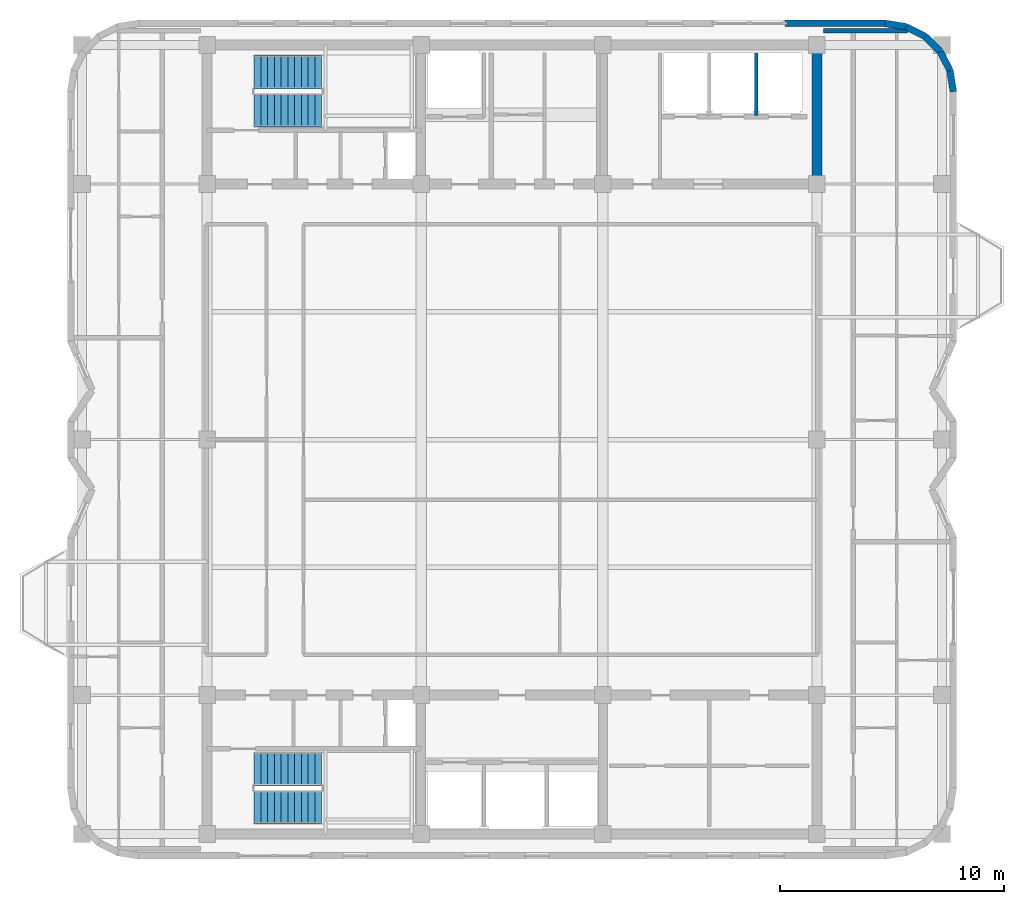
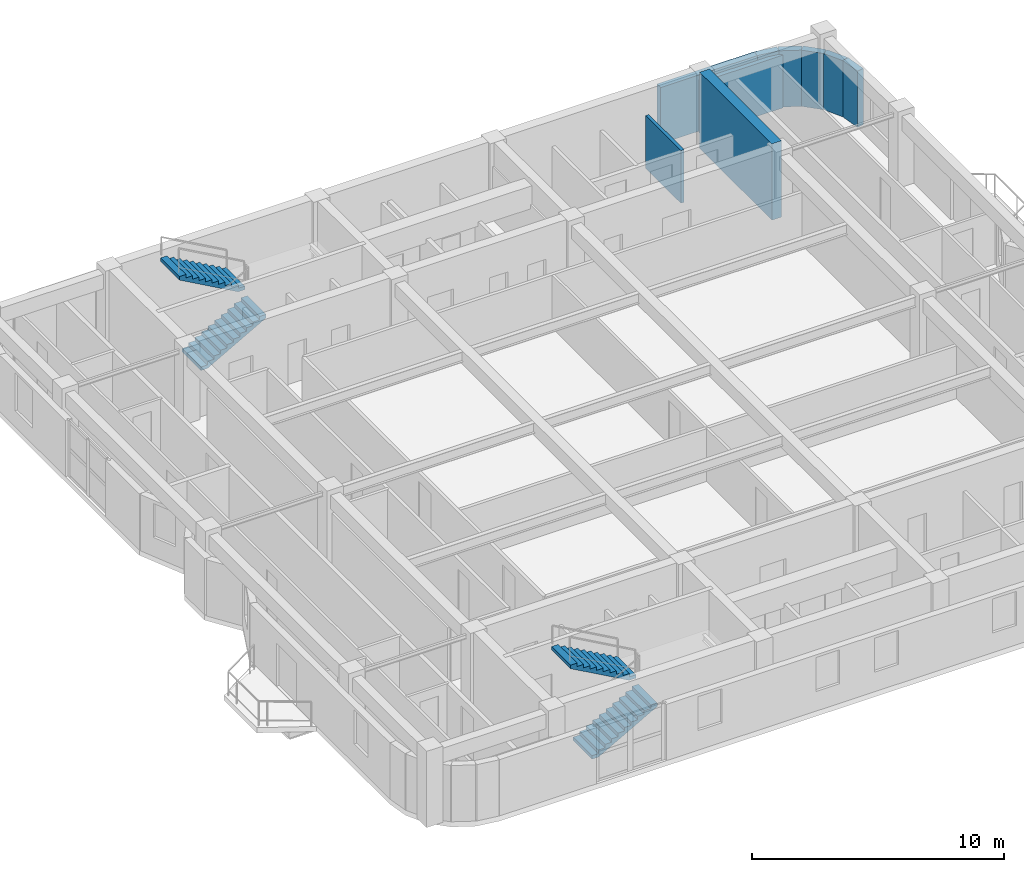
# One storey, part 9 of 11: 9 walls, 4 stair flights, 2 elements without a shape of their own.
"""IFC4 building model written with IfcOpenShell, lengths in metres."""

from ifc_helpers import new_model, si_unit, direction, frame, frame_2d, origin, place, context, subcontext, project, spatial, polyline, rectangle, outline, extrude, material, layer, layer_set, type_object, element, aggregate, save


model = new_model("IFC4")

# Units and contexts
model_context = context("Model", 3, precision=1e-05, world=origin(), true_north=direction((0.0, 1.0)))
body_context = subcontext(model_context, "Body", "Model", "MODEL_VIEW")
ifc_project = project(units=[si_unit("LENGTHUNIT", "METRE"), si_unit("AREAUNIT", "SQUARE_METRE"), si_unit("VOLUMEUNIT", "CUBIC_METRE"), si_unit("PLANEANGLEUNIT", "RADIAN"), si_unit("MASSUNIT", "GRAM", prefix="KILO")], contexts=[model_context])

# Site, building, storey
site_placement = place(None, origin())
site = spatial("IfcSite", under=ifc_project, at=site_placement, CompositionType="ELEMENT")
building_placement = place(site_placement, origin())
building = spatial("IfcBuilding", under=site, at=building_placement, Name="Svetorya Sky Lyceum", CompositionType="ELEMENT")
storey_placement = place(building_placement, frame((0.0, 0.0, 289.800048828125)))
storey = spatial("IfcBuildingStorey", under=building, at=storey_placement, Name="L73", CompositionType="ELEMENT", Elevation=289.800048828125)

# Walls
ifc_material_1 = material(Name="Concrete C50/60", Category="concrete")
ifc_layer_1 = layer(ifc_material_1, 0.449951171875)
ifc_layer_set_1 = layer_set([ifc_layer_1], Name="Concrete C50/60")
wall_type_1 = type_object("IfcWallType", Name="WL-CORE-450", PredefinedType="SHEAR", material=ifc_layer_set_1)
wall_1_placement = place(storey_placement, frame((52.800048828125, 39.824951171875, 0.0), z_axis=(0.0, 0.0, 1.0), x_axis=(0.0, 1.0, 0.0)))
element("IfcWall", 1, at=wall_1_placement, inside=storey, type_object=wall_type_1, Name="L73 NC East Core Shear Wall", PredefinedType="SHEAR", context=body_context, shape_type="SweptSolid", body=[
    extrude(rectangle(XDim=5.75, YDim=0.449951171875, at=frame_2d((2.875, 0.0))), origin(), (0.0, 0.0, 1.0), 3.699951171875),
])
ifc_material_2 = material(Name="Putilovo limestone rainscreen on autoclaved cellular masonry", Category="masonry")
ifc_layer_2 = layer(ifc_material_2, 0.300048828125)
ifc_layer_set_2 = layer_set([ifc_layer_2], Name="Putilovo limestone rainscreen on autoclaved cellular masonry")
wall_type_2 = type_object("IfcWallType", Name="WL-EXT-300", PredefinedType="SOLIDWALL", material=ifc_layer_set_2)
wall_2_placement = place(storey_placement, frame((58.889892578125, 43.719970703125, 0.0), z_axis=(0.0, 0.0, 1.0), x_axis=(-0.156304114255, 0.987708977314, 0.0)))
element("IfcWall", 2, at=wall_2_placement, inside=storey, type_object=wall_type_2, Name="L73 Limestone Exterior Wall 19M", PredefinedType="SOLIDWALL", context=body_context, shape_type="SweptSolid", body=[
    extrude(rectangle(XDim=0.954345703125, YDim=0.300048828125, at=frame_2d((0.47705078125, 0.0))), origin(), (0.0, 0.0, 1.0), 2.72998046875),
])
wall_3_placement = place(storey_placement, frame((58.74072265625, 44.66259765625, 0.0), z_axis=(0.0, 0.0, 1.0), x_axis=(-0.45395644796, 0.891023873617, 0.0)))
element("IfcWall", 3, at=wall_3_placement, inside=storey, type_object=wall_type_2, Name="L73 Limestone Exterior Wall 20M", PredefinedType="SOLIDWALL", context=body_context, shape_type="SweptSolid", body=[
    extrude(rectangle(XDim=0.9541015625, YDim=0.300048828125, at=frame_2d((0.47705078125, 0.0))), origin(), (0.0, 0.0, 1.0), 2.72998046875),
])
for number, where, z_axis, x_axis, name in (
    (4, (58.3076171875, 45.5126953125, 0.0), (0.0, 0.0, 1.0), (-0.707106781187, 0.707106781187, 0.0), "L73 Limestone Exterior Wall 21M"),
    (5, (57.6328125, 46.1875, 0.0), (0.0, 0.0, 1.0), (-0.891076589373, 0.453852962833, 0.0), "L73 Limestone Exterior Wall 22M"),
):
    element("IfcWall", number, at=place(storey_placement, frame(where, z_axis=z_axis, x_axis=x_axis)), inside=storey, type_object=wall_type_2, Name=name, PredefinedType="SOLIDWALL", context=body_context, shape_type="SweptSolid", body=[
        extrude(rectangle(XDim=0.954345703125, YDim=0.300048828125, at=frame_2d((0.47705078125, 0.0))), origin(), (0.0, 0.0, 1.0), 2.72998046875),
    ])
wall_4_placement = place(storey_placement, frame((56.782470703125, 46.62060546875, 0.0), z_axis=(0.0, 0.0, 1.0), x_axis=(-0.987663181641, 0.156593229835, 0.0)))
element("IfcWall", 6, at=wall_4_placement, inside=storey, type_object=wall_type_2, Name="L73 Limestone Exterior Wall 23M", PredefinedType="SOLIDWALL", context=body_context, shape_type="SweptSolid", body=[
    extrude(rectangle(XDim=0.9541015625, YDim=0.300048828125, at=frame_2d((0.47705078125, 0.0))), origin(), (0.0, 0.0, 1.0), 2.72998046875),
])
wall_5_placement = place(storey_placement, frame((55.840087890625, 46.77001953125, 0.0), z_axis=(0.0, 0.0, 1.0), x_axis=(-1.0, 0.0, 0.0)))
element("IfcWall", 7, at=wall_5_placement, inside=storey, type_object=wall_type_2, Name="L73 Limestone Exterior Wall 24A", PredefinedType="SOLIDWALL", context=body_context, shape_type="SweptSolid", body=[
    extrude(rectangle(XDim=4.4501953125, YDim=0.300048828125, at=frame_2d((2.22509765625, 0.0))), origin(), (0.0, 0.0, 1.0), 2.72998046875),
])
ifc_material_3 = material(Name="Autoclaved cellular masonry blockwork with acoustic render", Category="masonry")
ifc_layer_3 = layer(ifc_material_3, 0.14990234375)
ifc_layer_set_3 = layer_set([ifc_layer_3], Name="Autoclaved cellular masonry blockwork with acoustic render")
wall_type_3 = type_object("IfcWallType", Name="WL-PART-150", PredefinedType="PARTITIONING", material=ifc_layer_set_3)
wall_6_placement = place(storey_placement, frame((50.10009765625, 42.64990234375, 0.0), z_axis=(0.0, 0.0, 1.0), x_axis=(0.0, 1.0, 0.0)))
element("IfcWall", 8, at=wall_6_placement, inside=storey, type_object=wall_type_3, Name="L73 Interior Partition NC-PH-D2", PredefinedType="PARTITIONING", context=body_context, shape_type="SweptSolid", body=[
    extrude(rectangle(XDim=2.800048828125, YDim=0.14990234375, at=frame_2d((1.39990234375, 0.0))), origin(), (0.0, 0.0, 1.0), 2.56005859375),
])
ifc_material_4 = material(Name="Autoclaved cellular masonry blockwork with gypsum plaster", Category="masonry")
ifc_layer_4 = layer(ifc_material_4, 0.199951171875)
ifc_layer_set_4 = layer_set([ifc_layer_4], Name="Autoclaved cellular masonry blockwork with gypsum plaster")
wall_type_4 = type_object("IfcWallType", Name="WL-PART-200", PredefinedType="PARTITIONING", material=ifc_layer_set_4)
wall_7_placement = place(storey_placement, frame((53.10009765625, 46.449951171875, 0.0), z_axis=(0.0, 0.0, 1.0), x_axis=(1.0, 0.0, 0.0)))
element("IfcWall", 9, at=wall_7_placement, inside=storey, type_object=wall_type_4, Name="L73 Interior Partition E-CAP-N", PredefinedType="PARTITIONING", context=body_context, shape_type="SweptSolid", body=[
    extrude(rectangle(XDim=3.75390625, YDim=0.199951171875, at=frame_2d((1.876953125, 0.0))), origin(), (0.0, 0.0, 1.0), 2.56005859375),
])

# Stair, stair flights
ifc_material_5 = material(Name="Concrete C40/50", Category="concrete")
stair_type_1 = type_object("IfcStairType", Name="STR-ST-N", PredefinedType="HALF_TURN_STAIR", material=ifc_material_5)
stair_1_placement = place(storey_placement, origin())
stair_1 = element("IfcStair", 10, at=stair_1_placement, inside=storey, type_object=stair_type_1, Name="L73 North Core Smoke-Free Exit Stair N3", PredefinedType="HALF_TURN_STAIR")
stair_flight_type_1 = type_object("IfcStairFlightType", Name="SFL-ST-N", PredefinedType="STRAIGHT", material=ifc_material_5)
stair_flight_1_placement = place(storey_placement, frame((27.699951171875, 42.89990234375, 0.0), z_axis=(0.0, 0.0, 1.0), x_axis=(1.0, 0.0, 0.0)))
stair_flight_1 = element("IfcStairFlight", 11, at=stair_flight_1_placement, type_object=stair_flight_type_1, Name="ST-N flight 1", NumberOfRisers=11, NumberOfTreads=10, PredefinedType="STRAIGHT", RiserHeight=0.168181818, TreadLength=0.3, context=body_context, shape_type="SweptSolid", body=[
    extrude(outline(polyline([(0.0, 0.0), (0.0, 0.168212890625), (0.300048828125, 0.168212890625), (0.300048828125, 0.33642578125), (0.60009765625, 0.33642578125), (0.60009765625, 0.504638671875), (0.89990234375, 0.504638671875), (0.89990234375, 0.672607421875), (1.199951171875, 0.672607421875), (1.199951171875, 0.8408203125), (1.5, 0.8408203125), (1.5, 1.009033203125), (1.800048828125, 1.009033203125), (1.800048828125, 1.17724609375), (2.10009765625, 1.17724609375), (2.10009765625, 1.345458984375), (2.39990234375, 1.345458984375), (2.39990234375, 1.513671875), (2.699951171875, 1.513671875), (2.699951171875, 1.681884765625), (3.0, 1.681884765625), (3.0, 1.85009765625), (3.0, 1.510009765625), (0.306640625, 0.0), (0.0, 0.0)])), frame((0.0, 0.75, 0.0), z_axis=(0.0, -1.0, 0.0), x_axis=(1.0, 0.0, 0.0)), (0.0, 0.0, 1.0), 1.5),
])
stair_flight_2_placement = place(storey_placement, frame((30.699951171875, 44.60009765625, 1.849853515625), z_axis=(0.0, 0.0, 1.0), x_axis=(-1.0, 0.0, 0.0)))
stair_flight_2 = element("IfcStairFlight", 12, at=stair_flight_2_placement, type_object=stair_flight_type_1, Name="ST-N flight 2", NumberOfRisers=11, NumberOfTreads=10, PredefinedType="STRAIGHT", RiserHeight=0.168181818, TreadLength=0.3, context=body_context, shape_type="SweptSolid", body=[
    extrude(outline(polyline([(0.0, 0.0), (0.0, 0.168212890625), (0.300048828125, 0.168212890625), (0.300048828125, 0.33642578125), (0.60009765625, 0.33642578125), (0.60009765625, 0.504638671875), (0.89990234375, 0.504638671875), (0.89990234375, 0.672607421875), (1.199951171875, 0.672607421875), (1.199951171875, 0.8408203125), (1.5, 0.8408203125), (1.5, 1.009033203125), (1.800048828125, 1.009033203125), (1.800048828125, 1.17724609375), (2.10009765625, 1.17724609375), (2.10009765625, 1.345458984375), (2.39990234375, 1.345458984375), (2.39990234375, 1.513671875), (2.699951171875, 1.513671875), (2.699951171875, 1.681884765625), (3.0, 1.681884765625), (3.0, 1.85009765625), (3.0, 1.510009765625), (0.306640625, 0.0), (0.0, 0.0)])), frame((0.0, 0.75, 0.0), z_axis=(0.0, -1.0, 0.0), x_axis=(1.0, 0.0, 0.0)), (0.0, 0.0, 1.0), 1.5),
])
aggregate(stair_1, [stair_flight_1, stair_flight_2])

stair_type_2 = type_object("IfcStairType", Name="STR-ST-S", PredefinedType="HALF_TURN_STAIR", material=ifc_material_5)
stair_2_placement = place(storey_placement, origin())
stair_2 = element("IfcStair", 13, at=stair_2_placement, inside=storey, type_object=stair_type_2, Name="L73 South Core Smoke-Free Exit Stair N2", PredefinedType="HALF_TURN_STAIR")
stair_flight_type_2 = type_object("IfcStairFlightType", Name="SFL-ST-S", PredefinedType="STRAIGHT", material=ifc_material_5)
stair_flight_3_placement = place(storey_placement, frame((27.699951171875, 11.800048828125, 0.0), z_axis=(0.0, 0.0, 1.0), x_axis=(1.0, 0.0, 0.0)))
stair_flight_3 = element("IfcStairFlight", 14, at=stair_flight_3_placement, type_object=stair_flight_type_2, Name="ST-S flight 1", NumberOfRisers=11, NumberOfTreads=10, PredefinedType="STRAIGHT", RiserHeight=0.168181818, TreadLength=0.3, context=body_context, shape_type="SweptSolid", body=[
    extrude(outline(polyline([(0.0, 0.0), (0.0, 0.168212890625), (0.300048828125, 0.168212890625), (0.300048828125, 0.33642578125), (0.60009765625, 0.33642578125), (0.60009765625, 0.504638671875), (0.89990234375, 0.504638671875), (0.89990234375, 0.672607421875), (1.199951171875, 0.672607421875), (1.199951171875, 0.8408203125), (1.5, 0.8408203125), (1.5, 1.009033203125), (1.800048828125, 1.009033203125), (1.800048828125, 1.17724609375), (2.10009765625, 1.17724609375), (2.10009765625, 1.345458984375), (2.39990234375, 1.345458984375), (2.39990234375, 1.513671875), (2.699951171875, 1.513671875), (2.699951171875, 1.681884765625), (3.0, 1.681884765625), (3.0, 1.85009765625), (3.0, 1.510009765625), (0.306640625, 0.0), (0.0, 0.0)])), frame((0.0, 0.75, 0.0), z_axis=(0.0, -1.0, 0.0), x_axis=(1.0, 0.0, 0.0)), (0.0, 0.0, 1.0), 1.5),
])
stair_flight_4_placement = place(storey_placement, frame((30.699951171875, 13.5, 1.849853515625), z_axis=(0.0, 0.0, 1.0), x_axis=(-1.0, 0.0, 0.0)))
stair_flight_4 = element("IfcStairFlight", 15, at=stair_flight_4_placement, type_object=stair_flight_type_2, Name="ST-S flight 2", NumberOfRisers=11, NumberOfTreads=10, PredefinedType="STRAIGHT", RiserHeight=0.168181818, TreadLength=0.3, context=body_context, shape_type="SweptSolid", body=[
    extrude(outline(polyline([(0.0, 0.0), (0.0, 0.168212890625), (0.300048828125, 0.168212890625), (0.300048828125, 0.33642578125), (0.60009765625, 0.33642578125), (0.60009765625, 0.504638671875), (0.89990234375, 0.504638671875), (0.89990234375, 0.672607421875), (1.199951171875, 0.672607421875), (1.199951171875, 0.8408203125), (1.5, 0.8408203125), (1.5, 1.009033203125), (1.800048828125, 1.009033203125), (1.800048828125, 1.17724609375), (2.10009765625, 1.17724609375), (2.10009765625, 1.345458984375), (2.39990234375, 1.345458984375), (2.39990234375, 1.513671875), (2.699951171875, 1.513671875), (2.699951171875, 1.681884765625), (3.0, 1.681884765625), (3.0, 1.85009765625), (3.0, 1.510009765625), (0.306640625, 0.0), (0.0, 0.0)])), frame((0.0, 0.75, 0.0), z_axis=(0.0, -1.0, 0.0), x_axis=(1.0, 0.0, 0.0)), (0.0, 0.0, 1.0), 1.5),
])
aggregate(stair_2, [stair_flight_3, stair_flight_4])

save(model, "model.ifc")
